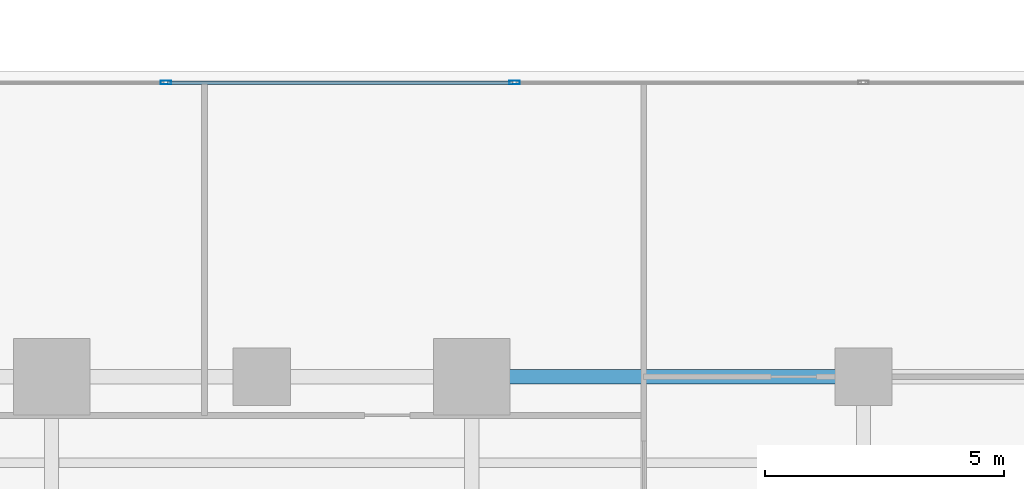
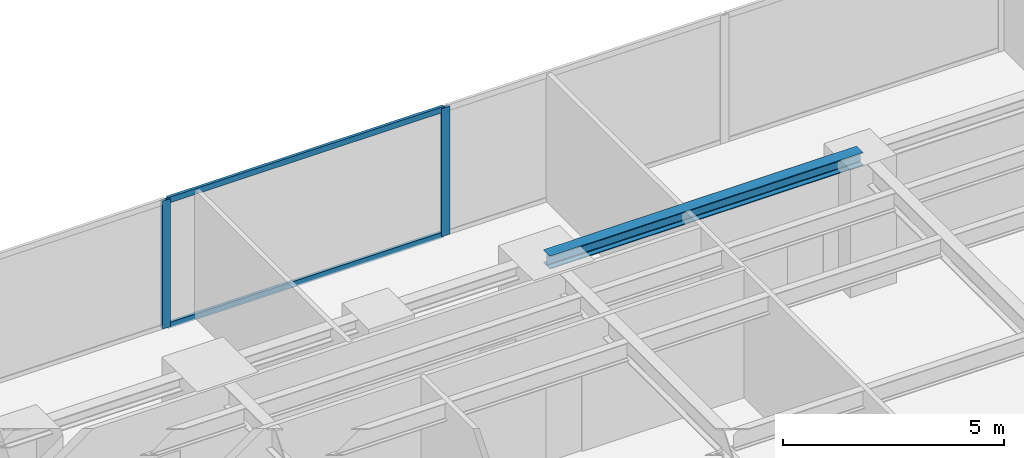
# One storey, part 13 of 26: 4 members, 1 beam, 1 element without a shape of its own.
"""IFC4 building model written with IfcOpenShell, lengths in metres."""

from ifc_helpers import new_model, si_unit, direction, frame, origin, origin_with_axes, origin_2d, place, context, subcontext, project, spatial, hollow_rectangle, i_section, extrude, source, transform, mapped, material, layer, layer_set, material_profile, profile_set, type_object, element, aggregate, save


model = new_model("IFC4")

# Units and contexts
model_context = context("Model", 3, precision=1e-05, world=origin(), true_north=direction((0.0, 1.0)))
body_context = subcontext(model_context, "Body", "Model", "MODEL_VIEW")
ifc_project = project(units=[si_unit("LENGTHUNIT", "METRE"), si_unit("AREAUNIT", "SQUARE_METRE"), si_unit("VOLUMEUNIT", "CUBIC_METRE"), si_unit("PLANEANGLEUNIT", "RADIAN"), si_unit("MASSUNIT", "GRAM", prefix="KILO")], contexts=[model_context])

# Site, building, storey
site_placement = place(None, origin())
site = spatial("IfcSite", under=ifc_project, at=site_placement, CompositionType="ELEMENT")
building_placement = place(site_placement, origin())
building = spatial("IfcBuilding", under=site, at=building_placement, Name="Kolvaren Waterfront Exchange", CompositionType="ELEMENT")
storey_placement = place(building_placement, frame((0.0, 0.0, 44.800048828125)))
storey = spatial("IfcBuildingStorey", under=building, at=storey_placement, Name="L11", CompositionType="ELEMENT", Elevation=44.800048828125)

# Beam
ifc_material_1 = material(Name="Steel S355", Category="steel")
ifc_material_profile_1 = material_profile(ifc_material_1, i_section(OverallWidth=0.300048828125, OverallDepth=0.360107421875, WebThickness=0.012451171875, FlangeThickness=0.0224609375, FilletRadius=0.027099609375, at=origin_2d()), Name="HEB360")
ifc_profile_set_1 = profile_set([ifc_material_profile_1], Name="Steel S355")
beam_type = type_object("IfcBeamType", Name="STR-BM-HEB360", PredefinedType="SPANDREL", material=ifc_profile_set_1)
beam_placement = place(storey_placement, frame((45.60009765625, 17.39990234375, 3.35986328125), z_axis=(1.0, 0.0, 0.0), x_axis=(0.0, 1.0, 0.0)))
element("IfcBeam", 1, at=beam_placement, inside=storey, type_object=beam_type, Name="L11 east-arm spandrel N4", PredefinedType="SPANDREL", context=body_context, shape_type="SweptSolid", body=[
    extrude(i_section(OverallWidth=0.300048828125, OverallDepth=0.360107421875, WebThickness=0.012451171875, FlangeThickness=0.0224609375, FilletRadius=0.027099609375, at=origin_2d()), origin(), (0.0, 0.0, 1.0), 8.199951171875),
])

# Curtain wall, members
ifc_material_2 = material(Name="Anodised bronze aluminium 6063-T6", Category="aluminium")
ifc_layer = layer(ifc_material_2, 0.219970703125, Name="Anodised bronze aluminium 6063-T6")
ifc_layer_set = layer_set([ifc_layer], Name="Anodised bronze aluminium 6063-T6")
curtain_wall_type = type_object("IfcCurtainWallType", Name="ARC-CW-SYS1", PredefinedType="USERDEFINED", material=ifc_layer_set)
curtain_wall_placement = place(storey_placement, origin())
curtain_wall = element("IfcCurtainWall", 2, at=curtain_wall_placement, inside=storey, type_object=curtain_wall_type, Name="L11 stick curtain wall CW1 (CW-L11-EN)", ObjectType="STICK CURTAIN WALL", PredefinedType="USERDEFINED")
ifc_material_3 = material(Name="Anodised aluminium 6063-T6", Category="aluminium")
ifc_material_profile_2 = material_profile(ifc_material_3, hollow_rectangle(XDim=0.074951171875, YDim=0.159912109375, WallThickness=0.00439453125, at=origin_2d()), Name="ALU-TRN-160x75x4.5")
ifc_profile_set_2 = profile_set([ifc_material_profile_2], Name="Anodised aluminium 6063-T6")
member_type_1 = type_object("IfcMemberType", Name="ARC-CWT-160", PredefinedType="USERDEFINED", material=ifc_profile_set_2)
shared_shape_1 = source(origin_with_axes(), body_context, "Body", "SweptSolid", [
    extrude(hollow_rectangle(XDim=0.074951171875, YDim=0.159912109375, WallThickness=0.00439453125, at=origin_2d()), origin(), (0.0, 0.0, 1.0), 7.22265625),
])
member_1_placement = place(storey_placement, frame((39.232421875, 23.56005859375, 0.037353515625), z_axis=(1.0, 0.0, 0.0), x_axis=(0.0, 1.0, 0.0)))
member_1 = element("IfcMember", 3, at=member_1_placement, type_object=member_type_1, Name="CW1 transom 2.1", ObjectType="TRANSOM", PredefinedType="USERDEFINED", context=body_context, shape_type="MappedRepresentation", body=[
    mapped(shared_shape_1, transform((0.0, 0.0, 0.0), x_axis=(1.0, 0.0, 0.0), y_axis=(0.0, 1.0, 0.0), z_axis=(0.0, 0.0, 1.0), scale=1.0)),
])
member_2_placement = place(storey_placement, frame((39.232421875, 23.56005859375, 3.50244140625), z_axis=(1.0, 0.0, 0.0), x_axis=(0.0, 1.0, 0.0)))
member_2 = element("IfcMember", 4, at=member_2_placement, type_object=member_type_1, Name="CW1 transom 2.2", ObjectType="TRANSOM", PredefinedType="USERDEFINED", context=body_context, shape_type="MappedRepresentation", body=[
    mapped(shared_shape_1, transform((0.0, 0.0, 0.0), x_axis=(1.0, 0.0, 0.0), y_axis=(0.0, 1.0, 0.0), z_axis=(0.0, 0.0, 1.0), scale=1.0)),
])
ifc_material_profile_3 = material_profile(ifc_material_3, hollow_rectangle(XDim=0.080078125, YDim=0.219970703125, WallThickness=0.0048828125, at=origin_2d()), Name="ALU-MUL-220x80x5")
ifc_profile_set_3 = profile_set([ifc_material_profile_3], Name="Anodised aluminium 6063-T6")
member_type_2 = type_object("IfcMemberType", Name="ARC-CWM-220", PredefinedType="MULLION", material=ifc_profile_set_3)
shared_shape_2 = source(origin_with_axes(), body_context, "Body", "SweptSolid", [
    extrude(hollow_rectangle(XDim=0.080078125, YDim=0.219970703125, WallThickness=0.0048828125, at=origin_2d()), origin(), (0.0, 0.0, 1.0), 3.5400390625),
])
member_3_placement = place(storey_placement, frame((39.1923828125, 23.56005859375, 0.0), z_axis=(0.0, 0.0, 1.0), x_axis=(0.0, 1.0, 0.0)))
member_3 = element("IfcMember", 5, at=member_3_placement, type_object=member_type_2, Name="CW1 mullion 2", PredefinedType="MULLION", context=body_context, shape_type="MappedRepresentation", body=[
    mapped(shared_shape_2, transform((0.0, 0.0, 0.0), x_axis=(1.0, 0.0, 0.0), y_axis=(0.0, 1.0, 0.0), z_axis=(0.0, 0.0, 1.0), scale=1.0)),
])
member_4_placement = place(storey_placement, frame((46.4951171875, 23.56005859375, 0.0), z_axis=(0.0, 0.0, 1.0), x_axis=(0.0, 1.0, 0.0)))
member_4 = element("IfcMember", 6, at=member_4_placement, type_object=member_type_2, Name="CW1 mullion 3", PredefinedType="MULLION", context=body_context, shape_type="MappedRepresentation", body=[
    mapped(shared_shape_2, transform((0.0, 0.0, 0.0), x_axis=(1.0, 0.0, 0.0), y_axis=(0.0, 1.0, 0.0), z_axis=(0.0, 0.0, 1.0), scale=1.0)),
])
aggregate(curtain_wall, [member_3, member_4, member_1, member_2])

save(model, "model.ifc")
